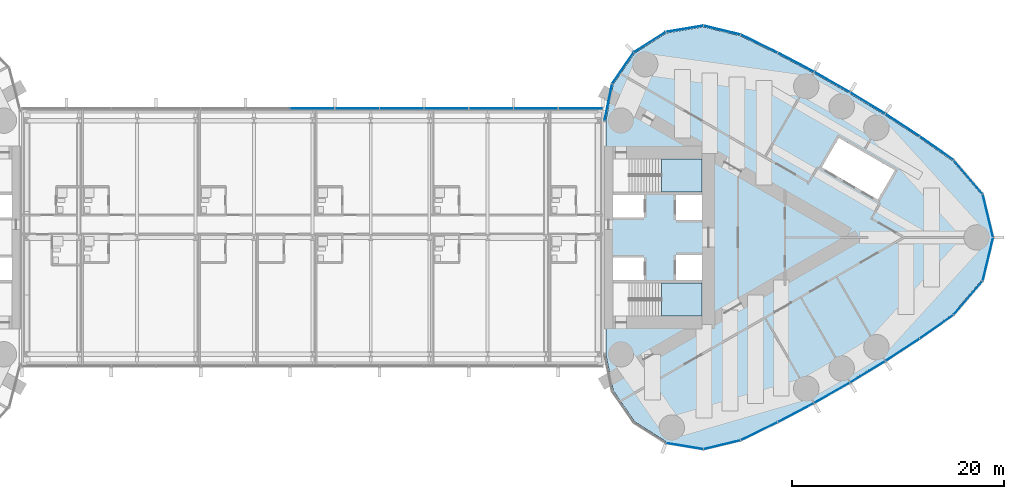
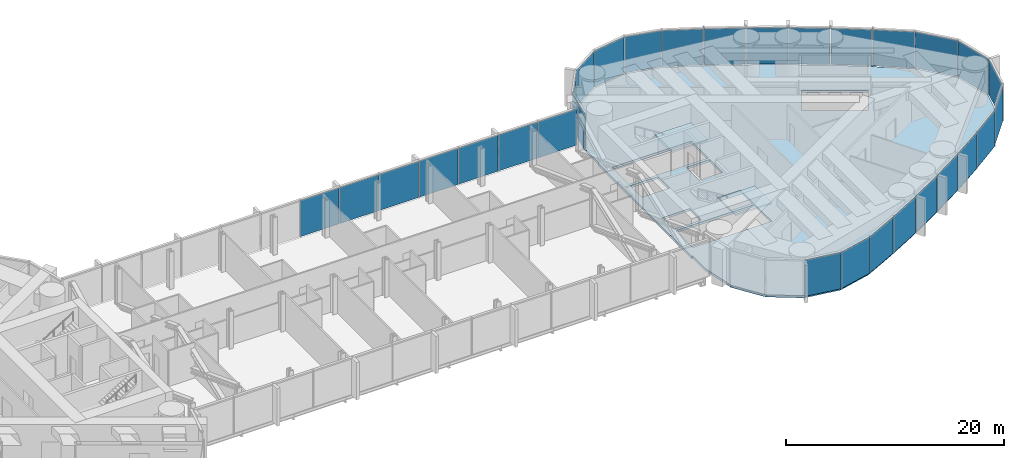
# One storey, part 14 of 23: 30 plates, 3 slabs, 4 elements without a shape of their own.
"""IFC4 building model written with IfcOpenShell, lengths in metres."""

from ifc_helpers import new_model, si_unit, direction, frame, origin, origin_2d, place, context, subcontext, project, spatial, polyline, rectangle, outline, extrude, material, layer, layer_set, type_object, element, aggregate, save


model = new_model("IFC4")

# Units and contexts
model_context = context("Model", 3, precision=1e-05, world=origin(), true_north=direction((0.0, 1.0)))
body_context = subcontext(model_context, "Body", "Model", "MODEL_VIEW")
ifc_project = project(units=[si_unit("LENGTHUNIT", "METRE"), si_unit("AREAUNIT", "SQUARE_METRE"), si_unit("VOLUMEUNIT", "CUBIC_METRE"), si_unit("PLANEANGLEUNIT", "RADIAN"), si_unit("MASSUNIT", "GRAM", prefix="KILO")], contexts=[model_context])

# Site, building, storey
site_placement = place(None, origin())
site = spatial("IfcSite", under=ifc_project, at=site_placement, CompositionType="ELEMENT")
building_placement = place(site_placement, origin())
building = spatial("IfcBuilding", under=site, at=building_placement, Name="Lancet Gate Hotel", CompositionType="ELEMENT")
storey_placement = place(building_placement, frame((0.0, 0.0, 247.699951171875)))
storey = spatial("IfcBuildingStorey", under=building, at=storey_placement, Name="L66", CompositionType="ELEMENT", Elevation=247.699951171875)

# Slab
ifc_material_1 = material(Name="Concrete C50/60", Category="concrete")
ifc_layer_1 = layer(ifc_material_1, 0.25)
ifc_layer_set_1 = layer_set([ifc_layer_1], Name="Floor slab 250")
slab_type_1 = type_object("IfcSlabType", Name="Floor slab 250", PredefinedType="FLOOR", material=ifc_layer_set_1)
slab_1_placement = place(storey_placement, frame((0.0, 0.0, -0.25)))
element("IfcSlab", 1, at=slab_1_placement, inside=storey, type_object=slab_type_1, Name="T2 L66 floor slab", PredefinedType="FLOOR", context=body_context, shape_type="SweptSolid", body=[
    extrude(outline(polyline([(27.5, -8.60009765625), (27.6201171875, -8.60009765625), (27.6201171875, -10.93603515625), (28.329345703125, -14.419677734375), (30.33740234375, -17.338134765625), (33.326904296875, -19.2392578125), (36.82177734375, -19.81982421875), (40.2763671875, -18.98486328125), (43.753662109375, -17.2890625), (47.18603515625, -15.47998046875), (50.5595703125, -13.56396484375), (53.87158203125, -11.54296875), (57.118408203125, -9.4189453125), (60.2861328125, -7.20166015625), (62.99658203125, -4.03759765625), (63.968017578125, 0.0), (62.99658203125, 4.03759765625), (60.2861328125, 7.20166015625), (57.118408203125, 9.4189453125), (53.87158203125, 11.54296875), (50.5595703125, 13.56396484375), (47.18603515625, 15.47998046875), (43.753662109375, 17.2890625), (40.2763671875, 18.98486328125), (36.82177734375, 19.81982421875), (33.326904296875, 19.2392578125), (30.33740234375, 17.338134765625), (28.329345703125, 14.419677734375), (27.6201171875, 10.93603515625), (27.6201171875, 8.60009765625), (27.5, 8.60009765625), (27.5, 8.199951171875), (27.5, -8.199951171875), (27.5, -8.60009765625)]), holes=[polyline([(36.699951171875, -7.39990234375), (36.699951171875, -4.300048828125), (28.300048828125, -4.300048828125), (28.300048828125, -7.39990234375), (36.699951171875, -7.39990234375)]), polyline([(28.300048828125, -4.0), (31.199951171875, -4.0), (31.199951171875, -1.89990234375), (28.300048828125, -1.89990234375), (28.300048828125, -4.0)]), polyline([(34.25, -4.0), (36.699951171875, -4.0), (36.699951171875, -1.64990234375), (34.25, -1.64990234375), (34.25, -4.0)]), polyline([(36.699951171875, 1.64990234375), (36.699951171875, 4.0), (34.25, 4.0), (34.25, 1.64990234375), (36.699951171875, 1.64990234375)]), polyline([(28.300048828125, 1.89990234375), (31.199951171875, 1.89990234375), (31.199951171875, 4.0), (28.300048828125, 4.0), (28.300048828125, 1.89990234375)]), polyline([(28.300048828125, 4.300048828125), (36.699951171875, 4.300048828125), (36.699951171875, 7.39990234375), (28.300048828125, 7.39990234375), (28.300048828125, 4.300048828125)]), polyline([(53.242919921875, 3.555908203125), (54.843017578125, 6.326904296875), (49.56103515625, 9.376953125), (47.9609375, 6.60595703125), (53.242919921875, 3.555908203125)])]), origin(), (0.0, 0.0, 1.0), 0.25),
])

# Curtain wall, plates
ifc_material_2 = material(Name="Aluminium curtain wall", Category="aluminium")
curtain_wall_type = type_object("IfcCurtainWallType", Name="Sky deck full-height glazing", PredefinedType="USERDEFINED", material=ifc_material_2)
curtain_wall_1_placement = place(storey_placement, origin())
curtain_wall_1 = element("IfcCurtainWall", 2, at=curtain_wall_1_placement, inside=storey, type_object=curtain_wall_type, Name="T2 L66 curtain wall 1", ObjectType="UNITISED CURTAIN WALL", PredefinedType="USERDEFINED")
ifc_material_3 = material(Name="Laminated double glazed unit 10-20-14")
ifc_layer_2 = layer(ifc_material_3, 0.0439453125)
ifc_layer_set_2 = layer_set([ifc_layer_2], Name="Sky deck glass panel")
plate_type = type_object("IfcPlateType", Name="Sky deck glass panel", PredefinedType="CURTAIN_PANEL", material=ifc_layer_set_2)
plate_1_placement = place(storey_placement, frame((35.0546875, -19.64794921875, 0.0), z_axis=(0.0, 0.0, 1.0), x_axis=(0.986480101775, -0.163881081283, 0.0)))
plate_1 = element("IfcPlate", 3, at=plate_1_placement, type_object=plate_type, Name="T2 L66 curtain wall 1 panel 4", PredefinedType="CURTAIN_PANEL", context=body_context, shape_type="SweptSolid", body=[
    extrude(rectangle(XDim=3.526611328125, YDim=0.0439453125, at=origin_2d()), origin(), (0.0, 0.0, 1.0), 4.050048828125),
])
plate_2_placement = place(storey_placement, frame((38.57177734375, -19.520263671875, 0.0), z_axis=(0.0, 0.0, 1.0), x_axis=(0.972013837597, 0.234923603582, 0.0)))
plate_2 = element("IfcPlate", 4, at=plate_2_placement, type_object=plate_type, Name="T2 L66 curtain wall 1 panel 5", PredefinedType="CURTAIN_PANEL", context=body_context, shape_type="SweptSolid", body=[
    extrude(rectangle(XDim=3.526611328125, YDim=0.0439453125, at=origin_2d()), origin(), (0.0, 0.0, 1.0), 4.050048828125),
])
plate_3_placement = place(storey_placement, frame((42.062744140625, -18.247314453125, 0.0), z_axis=(0.0, 0.0, 1.0), x_axis=(0.898823462202, 0.438310830114, 0.0)))
plate_3 = element("IfcPlate", 5, at=plate_3_placement, type_object=plate_type, Name="T2 L66 curtain wall 1 panel 6", PredefinedType="CURTAIN_PANEL", context=body_context, shape_type="SweptSolid", body=[
    extrude(rectangle(XDim=3.818603515625, YDim=0.0439453125, at=origin_2d()), origin(), (0.0, 0.0, 1.0), 4.050048828125),
])
plate_4_placement = place(storey_placement, frame((45.52587890625, -16.49072265625, 0.0), z_axis=(0.0, 0.0, 1.0), x_axis=(0.884622760861, 0.466307378204, 0.0)))
plate_4 = element("IfcPlate", 6, at=plate_4_placement, type_object=plate_type, Name="T2 L66 curtain wall 1 panel 7", PredefinedType="CURTAIN_PANEL", context=body_context, shape_type="SweptSolid", body=[
    extrude(rectangle(XDim=3.818603515625, YDim=0.0439453125, at=origin_2d()), origin(), (0.0, 0.0, 1.0), 4.050048828125),
])
plate_5_placement = place(storey_placement, frame((48.93212890625, -14.626220703125, 0.0), z_axis=(0.0, 0.0, 1.0), x_axis=(0.869550293306, 0.493844395951, 0.0)))
plate_5 = element("IfcPlate", 7, at=plate_5_placement, type_object=plate_type, Name="T2 L66 curtain wall 1 panel 8", PredefinedType="CURTAIN_PANEL", context=body_context, shape_type="SweptSolid", body=[
    extrude(rectangle(XDim=3.818603515625, YDim=0.0439453125, at=origin_2d()), origin(), (0.0, 0.0, 1.0), 4.050048828125),
])
plate_6_placement = place(storey_placement, frame((52.278076171875, -12.65576171875, 0.0), z_axis=(0.0, 0.0, 1.0), x_axis=(0.853620912967, 0.520894746513, 0.0)))
plate_6 = element("IfcPlate", 8, at=plate_6_placement, type_object=plate_type, Name="T2 L66 curtain wall 1 panel 9", PredefinedType="CURTAIN_PANEL", context=body_context, shape_type="SweptSolid", body=[
    extrude(rectangle(XDim=3.818603515625, YDim=0.0439453125, at=origin_2d()), origin(), (0.0, 0.0, 1.0), 4.050048828125),
])
plate_7_placement = place(storey_placement, frame((55.560791015625, -10.581298828125, 0.0), z_axis=(0.0, 0.0, 1.0), x_axis=(0.83685031771, 0.547431772688, 0.0)))
plate_7 = element("IfcPlate", 9, at=plate_7_placement, type_object=plate_type, Name="T2 L66 curtain wall 1 panel 10", PredefinedType="CURTAIN_PANEL", context=body_context, shape_type="SweptSolid", body=[
    extrude(rectangle(XDim=3.818603515625, YDim=0.0439453125, at=origin_2d()), origin(), (0.0, 0.0, 1.0), 4.050048828125),
])
plate_8_placement = place(storey_placement, frame((58.776611328125, -8.40478515625, 0.0), z_axis=(0.0, 0.0, 1.0), x_axis=(0.819255034386, 0.573429323137, 0.0)))
plate_8 = element("IfcPlate", 10, at=plate_8_placement, type_object=plate_type, Name="T2 L66 curtain wall 1 panel 11", PredefinedType="CURTAIN_PANEL", context=body_context, shape_type="SweptSolid", body=[
    extrude(rectangle(XDim=3.818603515625, YDim=0.0439453125, at=origin_2d()), origin(), (0.0, 0.0, 1.0), 4.050048828125),
])
plate_9_placement = place(storey_placement, frame((61.737060546875, -5.692626953125, 0.0), z_axis=(0.0, 0.0, 1.0), x_axis=(0.650551562434, 0.759462088991, 0.0)))
plate_9 = element("IfcPlate", 11, at=plate_9_placement, type_object=plate_type, Name="T2 L66 curtain wall 1 panel 12", PredefinedType="CURTAIN_PANEL", context=body_context, shape_type="SweptSolid", body=[
    extrude(rectangle(XDim=4.1455078125, YDim=0.0439453125, at=origin_2d()), origin(), (0.0, 0.0, 1.0), 4.050048828125),
])
plate_10_placement = place(storey_placement, frame((63.598876953125, -2.046875, 0.0), z_axis=(0.0, 0.0, 1.0), x_axis=(0.233916001796, 0.972256809749, 0.0)))
plate_10 = element("IfcPlate", 12, at=plate_10_placement, type_object=plate_type, Name="T2 L66 curtain wall 1 panel 13", PredefinedType="CURTAIN_PANEL", context=body_context, shape_type="SweptSolid", body=[
    extrude(rectangle(XDim=4.1455078125, YDim=0.0439453125, at=origin_2d()), origin(), (0.0, 0.0, 1.0), 4.050048828125),
])
plate_11_placement = place(storey_placement, frame((63.598876953125, 2.046875, 0.0), z_axis=(0.0, 0.0, 1.0), x_axis=(-0.233916001796, 0.972256809749, 0.0)))
plate_11 = element("IfcPlate", 13, at=plate_11_placement, type_object=plate_type, Name="T2 L66 curtain wall 1 panel 14", PredefinedType="CURTAIN_PANEL", context=body_context, shape_type="SweptSolid", body=[
    extrude(rectangle(XDim=4.1455078125, YDim=0.0439453125, at=origin_2d()), origin(), (0.0, 0.0, 1.0), 4.050048828125),
])
plate_12_placement = place(storey_placement, frame((61.737060546875, 5.692626953125, 0.0), z_axis=(0.0, 0.0, 1.0), x_axis=(-0.650551562434, 0.759462088991, 0.0)))
plate_12 = element("IfcPlate", 14, at=plate_12_placement, type_object=plate_type, Name="T2 L66 curtain wall 1 panel 15", PredefinedType="CURTAIN_PANEL", context=body_context, shape_type="SweptSolid", body=[
    extrude(rectangle(XDim=4.1455078125, YDim=0.0439453125, at=origin_2d()), origin(), (0.0, 0.0, 1.0), 4.050048828125),
])
plate_13_placement = place(storey_placement, frame((58.776611328125, 8.40478515625, 0.0), z_axis=(0.0, 0.0, 1.0), x_axis=(-0.819255034386, 0.573429323137, 0.0)))
plate_13 = element("IfcPlate", 15, at=plate_13_placement, type_object=plate_type, Name="T2 L66 curtain wall 1 panel 16", PredefinedType="CURTAIN_PANEL", context=body_context, shape_type="SweptSolid", body=[
    extrude(rectangle(XDim=3.818603515625, YDim=0.0439453125, at=origin_2d()), origin(), (0.0, 0.0, 1.0), 4.050048828125),
])
plate_14_placement = place(storey_placement, frame((55.560791015625, 10.581298828125, 0.0), z_axis=(0.0, 0.0, 1.0), x_axis=(-0.83685031771, 0.547431772688, 0.0)))
plate_14 = element("IfcPlate", 16, at=plate_14_placement, type_object=plate_type, Name="T2 L66 curtain wall 1 panel 17", PredefinedType="CURTAIN_PANEL", context=body_context, shape_type="SweptSolid", body=[
    extrude(rectangle(XDim=3.818603515625, YDim=0.0439453125, at=origin_2d()), origin(), (0.0, 0.0, 1.0), 4.050048828125),
])
plate_15_placement = place(storey_placement, frame((52.278076171875, 12.65576171875, 0.0), z_axis=(0.0, 0.0, 1.0), x_axis=(-0.853620912967, 0.520894746513, 0.0)))
plate_15 = element("IfcPlate", 17, at=plate_15_placement, type_object=plate_type, Name="T2 L66 curtain wall 1 panel 18", PredefinedType="CURTAIN_PANEL", context=body_context, shape_type="SweptSolid", body=[
    extrude(rectangle(XDim=3.818603515625, YDim=0.0439453125, at=origin_2d()), origin(), (0.0, 0.0, 1.0), 4.050048828125),
])
plate_16_placement = place(storey_placement, frame((48.93212890625, 14.626220703125, 0.0), z_axis=(0.0, 0.0, 1.0), x_axis=(-0.869550293306, 0.493844395951, 0.0)))
plate_16 = element("IfcPlate", 18, at=plate_16_placement, type_object=plate_type, Name="T2 L66 curtain wall 1 panel 19", PredefinedType="CURTAIN_PANEL", context=body_context, shape_type="SweptSolid", body=[
    extrude(rectangle(XDim=3.818603515625, YDim=0.0439453125, at=origin_2d()), origin(), (0.0, 0.0, 1.0), 4.050048828125),
])
plate_17_placement = place(storey_placement, frame((45.52587890625, 16.49072265625, 0.0), z_axis=(0.0, 0.0, 1.0), x_axis=(-0.884622760861, 0.466307378204, 0.0)))
plate_17 = element("IfcPlate", 19, at=plate_17_placement, type_object=plate_type, Name="T2 L66 curtain wall 1 panel 20", PredefinedType="CURTAIN_PANEL", context=body_context, shape_type="SweptSolid", body=[
    extrude(rectangle(XDim=3.818603515625, YDim=0.0439453125, at=origin_2d()), origin(), (0.0, 0.0, 1.0), 4.050048828125),
])
plate_18_placement = place(storey_placement, frame((42.062744140625, 18.247314453125, 0.0), z_axis=(0.0, 0.0, 1.0), x_axis=(-0.898823462202, 0.438310830114, 0.0)))
plate_18 = element("IfcPlate", 20, at=plate_18_placement, type_object=plate_type, Name="T2 L66 curtain wall 1 panel 21", PredefinedType="CURTAIN_PANEL", context=body_context, shape_type="SweptSolid", body=[
    extrude(rectangle(XDim=3.818603515625, YDim=0.0439453125, at=origin_2d()), origin(), (0.0, 0.0, 1.0), 4.050048828125),
])
plate_19_placement = place(storey_placement, frame((38.57177734375, 19.520263671875, 0.0), z_axis=(0.0, 0.0, 1.0), x_axis=(-0.972013837597, 0.234923603582, 0.0)))
plate_19 = element("IfcPlate", 21, at=plate_19_placement, type_object=plate_type, Name="T2 L66 curtain wall 1 panel 22", PredefinedType="CURTAIN_PANEL", context=body_context, shape_type="SweptSolid", body=[
    extrude(rectangle(XDim=3.526611328125, YDim=0.0439453125, at=origin_2d()), origin(), (0.0, 0.0, 1.0), 4.050048828125),
])
plate_20_placement = place(storey_placement, frame((35.0546875, 19.64794921875, 0.0), z_axis=(0.0, 0.0, 1.0), x_axis=(-0.986480101775, -0.163881081283, 0.0)))
plate_20 = element("IfcPlate", 22, at=plate_20_placement, type_object=plate_type, Name="T2 L66 curtain wall 1 panel 23", PredefinedType="CURTAIN_PANEL", context=body_context, shape_type="SweptSolid", body=[
    extrude(rectangle(XDim=3.526611328125, YDim=0.0439453125, at=origin_2d()), origin(), (0.0, 0.0, 1.0), 4.050048828125),
])
plate_21_placement = place(storey_placement, frame((31.767822265625, 18.389892578125, 0.0), z_axis=(0.0, 0.0, 1.0), x_axis=(-0.843845020422, -0.536586974785, 0.0)))
plate_21 = element("IfcPlate", 23, at=plate_21_placement, type_object=plate_type, Name="T2 L66 curtain wall 1 panel 24", PredefinedType="CURTAIN_PANEL", context=body_context, shape_type="SweptSolid", body=[
    extrude(rectangle(XDim=3.526611328125, YDim=0.0439453125, at=origin_2d()), origin(), (0.0, 0.0, 1.0), 4.050048828125),
])
plate_22_placement = place(storey_placement, frame((29.234619140625, 15.947021484375, 0.0), z_axis=(0.0, 0.0, 1.0), x_axis=(-0.566823864908, -0.823839005007, 0.0)))
plate_22 = element("IfcPlate", 24, at=plate_22_placement, type_object=plate_type, Name="T2 L66 curtain wall 1 panel 25", PredefinedType="CURTAIN_PANEL", context=body_context, shape_type="SweptSolid", body=[
    extrude(rectangle(XDim=3.526611328125, YDim=0.0439453125, at=origin_2d()), origin(), (0.0, 0.0, 1.0), 4.050048828125),
])
plate_23_placement = place(storey_placement, frame((27.8583984375, 12.707763671875, 0.0), z_axis=(0.0, 0.0, 1.0), x_axis=(-0.199533486841, -0.979891008036, 0.0)))
plate_23 = element("IfcPlate", 25, at=plate_23_placement, type_object=plate_type, Name="T2 L66 curtain wall 1 panel 26", PredefinedType="CURTAIN_PANEL", context=body_context, shape_type="SweptSolid", body=[
    extrude(rectangle(XDim=3.526611328125, YDim=0.0439453125, at=origin_2d()), origin(), (0.0, 0.0, 1.0), 4.050048828125),
])
aggregate(curtain_wall_1, [plate_1, plate_2, plate_3, plate_4, plate_5, plate_6, plate_7, plate_8, plate_9, plate_10, plate_11, plate_12, plate_13, plate_14, plate_15, plate_16, plate_17, plate_18, plate_19, plate_20, plate_21, plate_22, plate_23])

curtain_wall_2_placement = place(storey_placement, origin())
curtain_wall_2 = element("IfcCurtainWall", 26, at=curtain_wall_2_placement, inside=storey, type_object=curtain_wall_type, Name="Bridge block L66 curtain wall N", ObjectType="UNITISED CURTAIN WALL", PredefinedType="USERDEFINED")
plate_24_placement = place(storey_placement, frame((25.24609375, 12.1201171875, 0.0), z_axis=(0.0, 0.0, 1.0), x_axis=(-1.0, 0.0, 0.0)))
plate_24 = element("IfcPlate", 27, at=plate_24_placement, type_object=plate_type, Name="Bridge block L66 curtain wall N panel 1", PredefinedType="CURTAIN_PANEL", context=body_context, shape_type="SweptSolid", body=[
    extrude(rectangle(XDim=4.142578125, YDim=0.0439453125, at=origin_2d()), origin(), (0.0, 0.0, 1.0), 4.050048828125),
])
plate_25_placement = place(storey_placement, frame((21.03857421875, 12.1201171875, 0.0), z_axis=(0.0, 0.0, 1.0), x_axis=(-1.0, 0.0, 0.0)))
plate_25 = element("IfcPlate", 28, at=plate_25_placement, type_object=plate_type, Name="Bridge block L66 curtain wall N panel 2", PredefinedType="CURTAIN_PANEL", context=body_context, shape_type="SweptSolid", body=[
    extrude(rectangle(XDim=4.142578125, YDim=0.0439453125, at=origin_2d()), origin(), (0.0, 0.0, 1.0), 4.050048828125),
])
plate_26_placement = place(storey_placement, frame((16.830810546875, 12.1201171875, 0.0), z_axis=(0.0, 0.0, 1.0), x_axis=(-1.0, 0.0, 0.0)))
plate_26 = element("IfcPlate", 29, at=plate_26_placement, type_object=plate_type, Name="Bridge block L66 curtain wall N panel 3", PredefinedType="CURTAIN_PANEL", context=body_context, shape_type="SweptSolid", body=[
    extrude(rectangle(XDim=4.142578125, YDim=0.0439453125, at=origin_2d()), origin(), (0.0, 0.0, 1.0), 4.050048828125),
])
plate_27_placement = place(storey_placement, frame((12.623046875, 12.1201171875, 0.0), z_axis=(0.0, 0.0, 1.0), x_axis=(-1.0, 0.0, 0.0)))
plate_27 = element("IfcPlate", 30, at=plate_27_placement, type_object=plate_type, Name="Bridge block L66 curtain wall N panel 4", PredefinedType="CURTAIN_PANEL", context=body_context, shape_type="SweptSolid", body=[
    extrude(rectangle(XDim=4.142578125, YDim=0.0439453125, at=origin_2d()), origin(), (0.0, 0.0, 1.0), 4.050048828125),
])
plate_28_placement = place(storey_placement, frame((8.415283203125, 12.1201171875, 0.0), z_axis=(0.0, 0.0, 1.0), x_axis=(-1.0, 0.0, 0.0)))
plate_28 = element("IfcPlate", 31, at=plate_28_placement, type_object=plate_type, Name="Bridge block L66 curtain wall N panel 5", PredefinedType="CURTAIN_PANEL", context=body_context, shape_type="SweptSolid", body=[
    extrude(rectangle(XDim=4.142578125, YDim=0.0439453125, at=origin_2d()), origin(), (0.0, 0.0, 1.0), 4.050048828125),
])
plate_29_placement = place(storey_placement, frame((4.207763671875, 12.1201171875, 0.0), z_axis=(0.0, 0.0, 1.0), x_axis=(-1.0, 0.0, 0.0)))
plate_29 = element("IfcPlate", 32, at=plate_29_placement, type_object=plate_type, Name="Bridge block L66 curtain wall N panel 6", PredefinedType="CURTAIN_PANEL", context=body_context, shape_type="SweptSolid", body=[
    extrude(rectangle(XDim=4.142578125, YDim=0.0439453125, at=origin_2d()), origin(), (0.0, 0.0, 1.0), 4.050048828125),
])
plate_30_placement = place(storey_placement, frame((0.0, 12.1201171875, 0.0), z_axis=(0.0, 0.0, 1.0), x_axis=(-1.0, 0.0, 0.0)))
plate_30 = element("IfcPlate", 33, at=plate_30_placement, type_object=plate_type, Name="Bridge block L66 curtain wall N panel 7", PredefinedType="CURTAIN_PANEL", context=body_context, shape_type="SweptSolid", body=[
    extrude(rectangle(XDim=4.142578125, YDim=0.0439453125, at=origin_2d()), origin(), (0.0, 0.0, 1.0), 4.050048828125),
])
aggregate(curtain_wall_2, [plate_24, plate_25, plate_26, plate_27, plate_28, plate_29, plate_30])

# Stair, slab
ifc_material_4 = material(Name="Exit stair 24 risers 1500")
stair_type = type_object("IfcStairType", Name="Exit stair 24 risers 1500", PredefinedType="HALF_TURN_STAIR", material=ifc_material_4)
stair_1_placement = place(storey_placement, origin())
stair_1 = element("IfcStair", 34, at=stair_1_placement, inside=storey, type_object=stair_type, Name="T2 stair 1 L66", PredefinedType="HALF_TURN_STAIR")
ifc_material_5 = material(Name="Concrete C40/50", Category="concrete")
ifc_layer_3 = layer(ifc_material_5, 0.199951171875)
ifc_layer_set_3 = layer_set([ifc_layer_3], Name="Stair landing 200")
slab_type_2 = type_object("IfcSlabType", Name="Stair landing 200", PredefinedType="LANDING", material=ifc_layer_set_3)
slab_2_placement = place(storey_placement, frame((0.0, 0.0, 1.900146484375)))
slab_2 = element("IfcSlab", 35, at=slab_2_placement, type_object=slab_type_2, Name="ST3 landing 2", PredefinedType="LANDING", context=body_context, shape_type="SweptSolid", body=[
    extrude(outline(polyline([(32.8798828125, -7.39990234375), (36.699951171875, -7.39990234375), (36.699951171875, -4.300048828125), (32.8798828125, -4.300048828125), (32.8798828125, -7.39990234375)])), origin(), (0.0, 0.0, 1.0), 0.199951171875),
])
aggregate(stair_1, [slab_2])

stair_2_placement = place(storey_placement, origin())
stair_2 = element("IfcStair", 36, at=stair_2_placement, inside=storey, type_object=stair_type, Name="T2 stair 2 L66", PredefinedType="HALF_TURN_STAIR")
slab_3_placement = place(storey_placement, frame((0.0, 0.0, 1.900146484375)))
slab_3 = element("IfcSlab", 37, at=slab_3_placement, type_object=slab_type_2, Name="ST4 landing 2", PredefinedType="LANDING", context=body_context, shape_type="SweptSolid", body=[
    extrude(outline(polyline([(32.8798828125, 4.300048828125), (36.699951171875, 4.300048828125), (36.699951171875, 7.39990234375), (32.8798828125, 7.39990234375), (32.8798828125, 4.300048828125)])), origin(), (0.0, 0.0, 1.0), 0.199951171875),
])
aggregate(stair_2, [slab_3])

save(model, "model.ifc")
